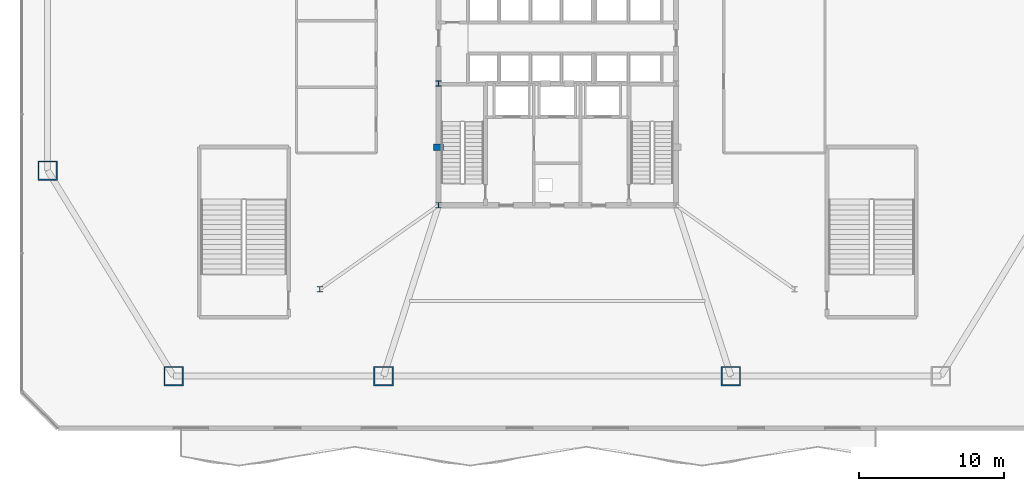
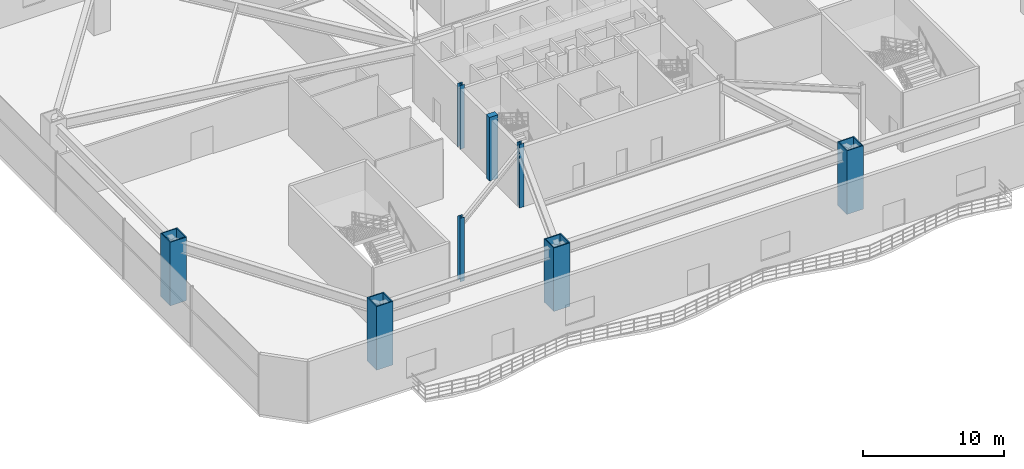
# One storey, part 1 of 20: 8 columns.
"""IFC4 building model written with IfcOpenShell, lengths in metres."""

from ifc_helpers import new_model, si_unit, direction, frame, origin, origin_2d, place, context, subcontext, project, spatial, rectangle, hollow_rectangle, i_section, extrude, material, material_profile, profile_set, type_object, element, save


model = new_model("IFC4")

# Units and contexts
model_context = context("Model", 3, precision=1e-05, world=origin(), true_north=direction((0.0, 1.0)))
body_context = subcontext(model_context, "Body", "Model", "MODEL_VIEW")
ifc_project = project(units=[si_unit("LENGTHUNIT", "METRE"), si_unit("AREAUNIT", "SQUARE_METRE"), si_unit("VOLUMEUNIT", "CUBIC_METRE"), si_unit("PLANEANGLEUNIT", "RADIAN"), si_unit("MASSUNIT", "GRAM", prefix="KILO")], contexts=[model_context])

# Site, building, storey
site_placement = place(None, origin())
site = spatial("IfcSite", under=ifc_project, at=site_placement, CompositionType="ELEMENT")
building_placement = place(site_placement, origin())
building = spatial("IfcBuilding", under=site, at=building_placement, Name="Varakhsha Concourse Tower", CompositionType="ELEMENT")
storey_placement = place(building_placement, frame((0.0, 0.0, 11.0)))
storey = spatial("IfcBuildingStorey", under=building, at=storey_placement, Name="L03", CompositionType="ELEMENT", Elevation=11.0)

# Columns
ifc_material_1 = material(Name="Structural Steel ASTM A992 Grade 50", Category="steel")
ifc_material_profile_1 = material_profile(ifc_material_1, i_section(OverallWidth=0.3740234375, OverallDepth=0.3720703125, WebThickness=0.01611328125, FlangeThickness=0.02587890625, at=origin_2d()), Name="W14X132")
ifc_profile_set_1 = profile_set([ifc_material_profile_1], Name="Structural Steel ASTM A992 Grade 50")
column_type_1 = type_object("IfcColumnType", Name="CL-CORE-W14X132", PredefinedType="COLUMN", material=ifc_profile_set_1)
for number, where, z_axis, x_axis, name in (
    (1, (31.800048828125, 16.39990234375, 0.0), (0.0, 0.0, 1.0), (1.0, 0.0, 0.0), "L03 Core Column CC-SW"),
    (2, (31.800048828125, 24.800048828125, 0.0), (0.0, 0.0, 1.0), (1.0, 0.0, 0.0), "L03 Core Column CC-MW"),
    (3, (23.60009765625, 10.60009765625, 0.0), (0.0, 0.0, 1.0), (1.0, 0.0, 0.0), "L03 Core Column SS-W"),
):
    element("IfcColumn", number, at=place(storey_placement, frame(where, z_axis=z_axis, x_axis=x_axis)), inside=storey, type_object=column_type_1, Name=name, PredefinedType="COLUMN", context=body_context, shape_type="SweptSolid", body=[
        extrude(i_section(OverallWidth=0.3740234375, OverallDepth=0.3720703125, WebThickness=0.01611328125, FlangeThickness=0.02587890625, at=origin_2d()), origin(), (0.0, 0.0, 1.0), 5.5),
    ])
ifc_material_2 = material(Name="Concrete fc 65 MPa", Category="concrete")
ifc_material_profile_2 = material_profile(ifc_material_2, rectangle(XDim=0.699951171875, YDim=0.449951171875, at=origin_2d()), Name="RC 700x450")
ifc_profile_set_2 = profile_set([ifc_material_profile_2], Name="Concrete fc 65 MPa")
column_type_2 = type_object("IfcColumnType", Name="CL-PIL-700X450", PredefinedType="PILASTER", material=ifc_profile_set_2)
column_placement = place(storey_placement, frame((31.800048828125, 20.39990234375, 0.0), z_axis=(0.0, 0.0, 1.0), x_axis=(1.0, 0.0, 0.0)))
element("IfcColumn", 4, at=column_placement, inside=storey, type_object=column_type_2, Name="L03 Core Boundary Pilaster PIL-W1", PredefinedType="PILASTER", context=body_context, shape_type="SweptSolid", body=[
    extrude(rectangle(XDim=0.699951171875, YDim=0.449951171875, at=origin_2d()), origin(), (0.0, 0.0, 1.0), 5.5),
])
ifc_material_3 = material(Name="Structural Steel ASTM A572 Grade 50", Category="steel")
ifc_material_profile_3 = material_profile(ifc_material_3, hollow_rectangle(XDim=1.35009765625, YDim=1.35009765625, WallThickness=0.0849609375, at=origin_2d()), Name="BOX 1350x1350x85")
ifc_profile_set_3 = profile_set([ifc_material_profile_3], Name="Structural Steel ASTM A572 Grade 50")
column_type_3 = type_object("IfcColumnType", Name="CL-STILT-1350", PredefinedType="COLUMN", material=ifc_profile_set_3)
for number, where, z_axis, x_axis, name in (
    (5, (13.5, 4.60009765625, 0.0), (0.0, 0.0, 1.0), (1.0, 0.0, 0.0), "L03 Podium Mega-Column PC-S1"),
    (6, (28.0, 4.60009765625, 0.0), (0.0, 0.0, 1.0), (1.0, 0.0, 0.0), "L03 Podium Mega-Column PC-S2"),
    (7, (52.0, 4.60009765625, 0.0), (0.0, 0.0, 1.0), (1.0, 0.0, 0.0), "L03 Podium Mega-Column PC-S3"),
    (8, (4.800048828125, 18.800048828125, 0.0), (0.0, 0.0, 1.0), (1.0, 0.0, 0.0), "L03 Podium Mega-Column PC-W1"),
):
    element("IfcColumn", number, at=place(storey_placement, frame(where, z_axis=z_axis, x_axis=x_axis)), inside=storey, type_object=column_type_3, Name=name, PredefinedType="COLUMN", context=body_context, shape_type="SweptSolid", body=[
        extrude(hollow_rectangle(XDim=1.35009765625, YDim=1.35009765625, WallThickness=0.0849609375, at=origin_2d()), origin(), (0.0, 0.0, 1.0), 5.5),
    ])

save(model, "model.ifc")
